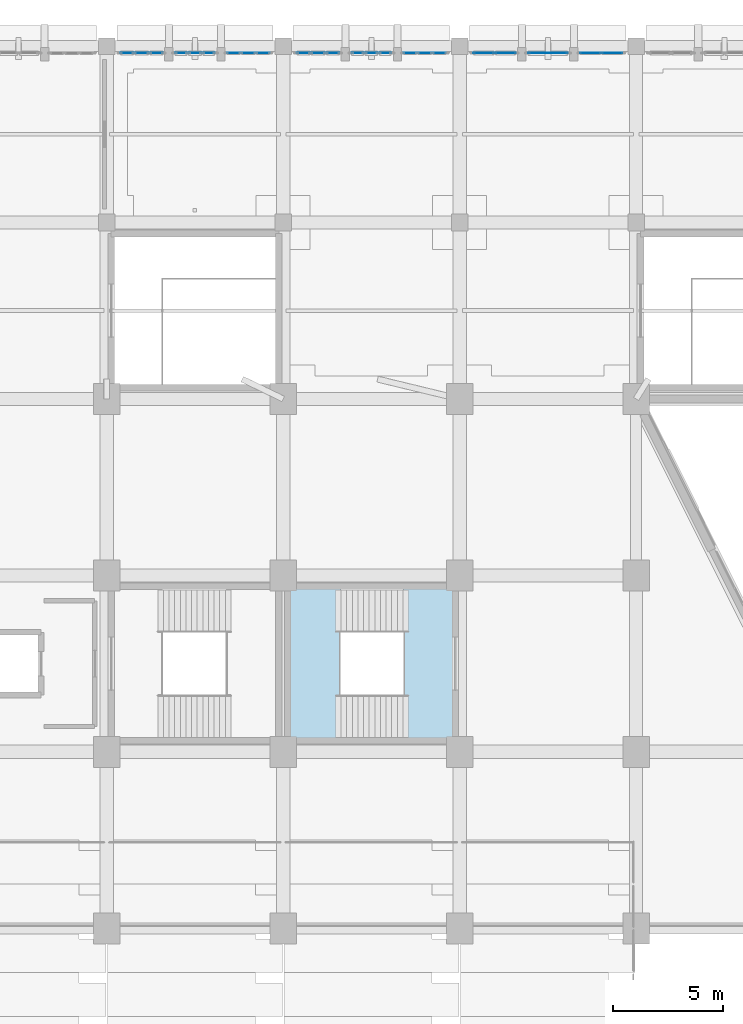
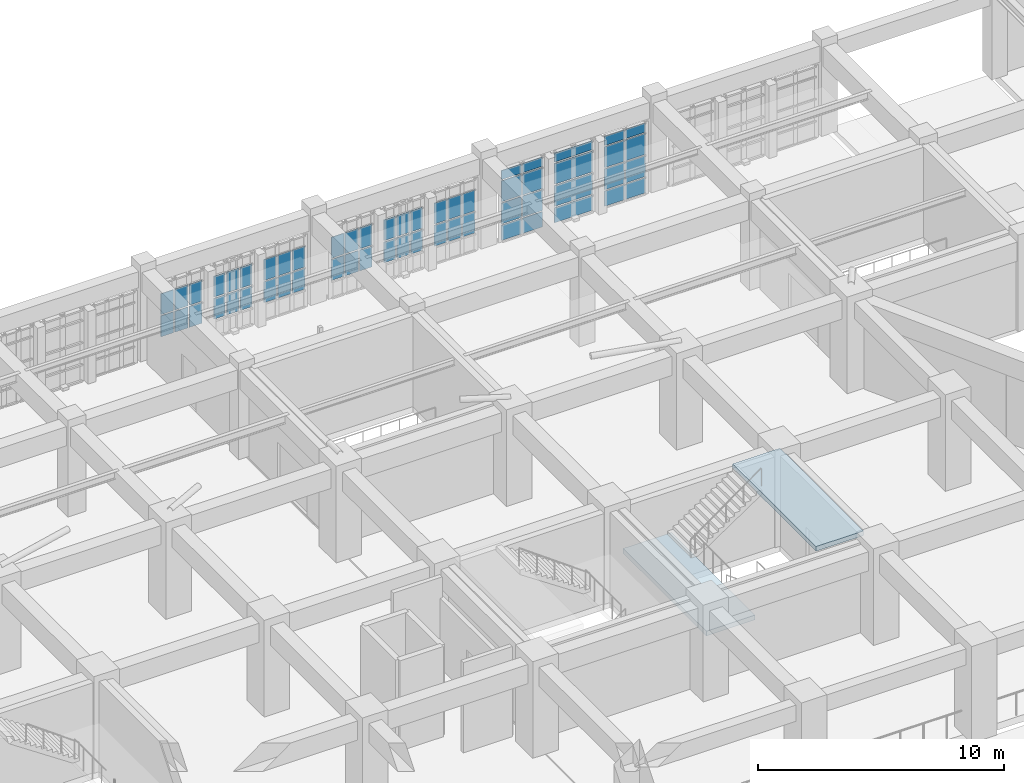
# One storey, part 107 of 155: 56 plates, 2 slabs, 10 elements without a shape of their own.
"""IFC4 building model written with IfcOpenShell, lengths in metres."""

from ifc_helpers import new_model, si_unit, direction, frame, origin, origin_2d, place, context, subcontext, project, spatial, polyline, rectangle, outline, extrude, material, layer, layer_set, type_object, element, aggregate, save


model = new_model("IFC4")

# Units and contexts
model_context = context("Model", 3, precision=1e-05, world=origin(), true_north=direction((0.0, 1.0)))
body_context = subcontext(model_context, "Body", "Model", "MODEL_VIEW")
ifc_project = project(units=[si_unit("LENGTHUNIT", "METRE"), si_unit("AREAUNIT", "SQUARE_METRE"), si_unit("VOLUMEUNIT", "CUBIC_METRE"), si_unit("PLANEANGLEUNIT", "RADIAN"), si_unit("MASSUNIT", "GRAM", prefix="KILO")], contexts=[model_context])

# Site, building, storey
site_placement = place(None, origin())
site = spatial("IfcSite", under=ifc_project, at=site_placement, CompositionType="ELEMENT")
building_placement = place(site_placement, origin())
building = spatial("IfcBuilding", under=site, at=building_placement, Name="Tazarka Park Arena", CompositionType="ELEMENT")
storey_placement = place(building_placement, frame((0.0, 0.0, 5.39990234375)))
storey = spatial("IfcBuildingStorey", under=building, at=storey_placement, Name="L01", CompositionType="ELEMENT", Elevation=5.39990234375)

# Curtain wall, plates
ifc_material_1 = material(Name="Aluminium and low-e glass", Category="aluminium")
ifc_layer_1 = layer(ifc_material_1, 0.179931640625, Name="Aluminium and low-e glass")
ifc_layer_set_1 = layer_set([ifc_layer_1], Name="Aluminium and low-e glass")
curtain_wall_type_1 = type_object("IfcCurtainWallType", Name="CW-30", PredefinedType="NOTDEFINED", material=ifc_layer_set_1)
curtain_wall_1_placement = place(storey_placement, origin())
curtain_wall_1 = element("IfcCurtainWall", 1, at=curtain_wall_1_placement, inside=storey, type_object=curtain_wall_type_1, Name="Curtain Wall CWA-L01-030", PredefinedType="NOTDEFINED")
ifc_material_2 = material(Name="Double low-e insulated glazing", Category="glass")
ifc_layer_2 = layer(ifc_material_2, 0.028076171875, Name="Double low-e insulated glazing")
ifc_layer_set_2 = layer_set([ifc_layer_2], Name="Double low-e insulated glazing")
plate_type_1 = type_object("IfcPlateType", Name="CWP-01", PredefinedType="CURTAIN_PANEL", material=ifc_layer_set_2)
plate_1_placement = place(storey_placement, frame((109.92138671875, 127.679931640625, 0.065185546875), z_axis=(0.0, 0.0, 1.0), x_axis=(1.0, 0.0, 0.0)))
plate_1 = element("IfcPlate", 2, at=plate_1_placement, type_object=plate_type_1, Name="CW-30 panel 1.1", PredefinedType="CURTAIN_PANEL", context=body_context, shape_type="SweptSolid", body=[
    extrude(rectangle(XDim=0.92919921875, YDim=0.028076171875, at=origin_2d()), origin(), (0.0, 0.0, 1.0), 0.75244140625),
])
plate_2_placement = place(storey_placement, frame((109.92138671875, 127.679931640625, 0.8828125), z_axis=(0.0, 0.0, 1.0), x_axis=(1.0, 0.0, 0.0)))
plate_2 = element("IfcPlate", 3, at=plate_2_placement, type_object=plate_type_1, Name="CW-30 panel 1.2", PredefinedType="CURTAIN_PANEL", context=body_context, shape_type="SweptSolid", body=[
    extrude(rectangle(XDim=0.92919921875, YDim=0.028076171875, at=origin_2d()), origin(), (0.0, 0.0, 1.0), 1.034912109375),
])
plate_3_placement = place(storey_placement, frame((109.92138671875, 127.679931640625, 1.982421875), z_axis=(0.0, 0.0, 1.0), x_axis=(1.0, 0.0, 0.0)))
plate_3 = element("IfcPlate", 4, at=plate_3_placement, type_object=plate_type_1, Name="CW-30 panel 1.3", PredefinedType="CURTAIN_PANEL", context=body_context, shape_type="SweptSolid", body=[
    extrude(rectangle(XDim=0.92919921875, YDim=0.028076171875, at=origin_2d()), origin(), (0.0, 0.0, 1.0), 1.034912109375),
])
plate_4_placement = place(storey_placement, frame((109.92138671875, 127.679931640625, 3.08251953125), z_axis=(0.0, 0.0, 1.0), x_axis=(1.0, 0.0, 0.0)))
plate_4 = element("IfcPlate", 5, at=plate_4_placement, type_object=plate_type_1, Name="CW-30 panel 1.4", PredefinedType="CURTAIN_PANEL", context=body_context, shape_type="SweptSolid", body=[
    extrude(rectangle(XDim=0.92919921875, YDim=0.028076171875, at=origin_2d()), origin(), (0.0, 0.0, 1.0), 0.452392578125),
])
plate_5_placement = place(storey_placement, frame((110.91552734375, 127.679931640625, 0.065185546875), z_axis=(0.0, 0.0, 1.0), x_axis=(1.0, 0.0, 0.0)))
plate_5 = element("IfcPlate", 6, at=plate_5_placement, type_object=plate_type_1, Name="CW-30 panel 2.1", PredefinedType="CURTAIN_PANEL", context=body_context, shape_type="SweptSolid", body=[
    extrude(rectangle(XDim=0.92919921875, YDim=0.028076171875, at=origin_2d()), origin(), (0.0, 0.0, 1.0), 0.75244140625),
])
plate_6_placement = place(storey_placement, frame((110.91552734375, 127.679931640625, 0.8828125), z_axis=(0.0, 0.0, 1.0), x_axis=(1.0, 0.0, 0.0)))
plate_6 = element("IfcPlate", 7, at=plate_6_placement, type_object=plate_type_1, Name="CW-30 panel 2.2", PredefinedType="CURTAIN_PANEL", context=body_context, shape_type="SweptSolid", body=[
    extrude(rectangle(XDim=0.92919921875, YDim=0.028076171875, at=origin_2d()), origin(), (0.0, 0.0, 1.0), 1.034912109375),
])
plate_7_placement = place(storey_placement, frame((110.91552734375, 127.679931640625, 1.982421875), z_axis=(0.0, 0.0, 1.0), x_axis=(1.0, 0.0, 0.0)))
plate_7 = element("IfcPlate", 8, at=plate_7_placement, type_object=plate_type_1, Name="CW-30 panel 2.3", PredefinedType="CURTAIN_PANEL", context=body_context, shape_type="SweptSolid", body=[
    extrude(rectangle(XDim=0.92919921875, YDim=0.028076171875, at=origin_2d()), origin(), (0.0, 0.0, 1.0), 1.034912109375),
])
plate_8_placement = place(storey_placement, frame((110.91552734375, 127.679931640625, 3.08251953125), z_axis=(0.0, 0.0, 1.0), x_axis=(1.0, 0.0, 0.0)))
plate_8 = element("IfcPlate", 9, at=plate_8_placement, type_object=plate_type_1, Name="CW-30 panel 2.4", PredefinedType="CURTAIN_PANEL", context=body_context, shape_type="SweptSolid", body=[
    extrude(rectangle(XDim=0.92919921875, YDim=0.028076171875, at=origin_2d()), origin(), (0.0, 0.0, 1.0), 0.452392578125),
])
aggregate(curtain_wall_1, [plate_1, plate_2, plate_3, plate_4, plate_5, plate_6, plate_7, plate_8])

ifc_material_3 = material(Name="Aluminium and low-e glass", Category="aluminium")
ifc_layer_3 = layer(ifc_material_3, 0.179931640625, Name="Aluminium and low-e glass")
ifc_layer_set_3 = layer_set([ifc_layer_3], Name="Aluminium and low-e glass")
curtain_wall_type_2 = type_object("IfcCurtainWallType", Name="CW-03", PredefinedType="NOTDEFINED", material=ifc_layer_set_3)
curtain_wall_2_placement = place(storey_placement, origin())
curtain_wall_2 = element("IfcCurtainWall", 10, at=curtain_wall_2_placement, inside=storey, type_object=curtain_wall_type_2, Name="Curtain Wall CWA-L01-033", PredefinedType="NOTDEFINED")
plate_9_placement = place(storey_placement, frame((101.750244140625, 127.679931640625, 0.8828125), z_axis=(0.0, 0.0, 1.0), x_axis=(1.0, 0.0, 0.0)))
plate_9 = element("IfcPlate", 11, at=plate_9_placement, type_object=plate_type_1, Name="CW-03 panel 1.2", PredefinedType="CURTAIN_PANEL", context=body_context, shape_type="SweptSolid", body=[
    extrude(rectangle(XDim=0.5869140625, YDim=0.028076171875, at=origin_2d()), origin(), (0.0, 0.0, 1.0), 1.034912109375),
])
plate_10_placement = place(storey_placement, frame((101.750244140625, 127.679931640625, 1.982421875), z_axis=(0.0, 0.0, 1.0), x_axis=(1.0, 0.0, 0.0)))
plate_10 = element("IfcPlate", 12, at=plate_10_placement, type_object=plate_type_1, Name="CW-03 panel 1.3", PredefinedType="CURTAIN_PANEL", context=body_context, shape_type="SweptSolid", body=[
    extrude(rectangle(XDim=0.5869140625, YDim=0.028076171875, at=origin_2d()), origin(), (0.0, 0.0, 1.0), 1.034912109375),
])
plate_11_placement = place(storey_placement, frame((102.41845703125, 127.679931640625, 0.8828125), z_axis=(0.0, 0.0, 1.0), x_axis=(1.0, 0.0, 0.0)))
plate_11 = element("IfcPlate", 13, at=plate_11_placement, type_object=plate_type_1, Name="CW-03 panel 2.2", PredefinedType="CURTAIN_PANEL", context=body_context, shape_type="SweptSolid", body=[
    extrude(rectangle(XDim=0.619384765625, YDim=0.028076171875, at=origin_2d()), origin(), (0.0, 0.0, 1.0), 1.034912109375),
])
plate_12_placement = place(storey_placement, frame((102.41845703125, 127.679931640625, 1.982421875), z_axis=(0.0, 0.0, 1.0), x_axis=(1.0, 0.0, 0.0)))
plate_12 = element("IfcPlate", 14, at=plate_12_placement, type_object=plate_type_1, Name="CW-03 panel 2.3", PredefinedType="CURTAIN_PANEL", context=body_context, shape_type="SweptSolid", body=[
    extrude(rectangle(XDim=0.619384765625, YDim=0.028076171875, at=origin_2d()), origin(), (0.0, 0.0, 1.0), 1.034912109375),
])
plate_13_placement = place(storey_placement, frame((103.08642578125, 127.679931640625, 0.8828125), z_axis=(0.0, 0.0, 1.0), x_axis=(1.0, 0.0, 0.0)))
plate_13 = element("IfcPlate", 15, at=plate_13_placement, type_object=plate_type_1, Name="CW-03 panel 3.2", PredefinedType="CURTAIN_PANEL", context=body_context, shape_type="SweptSolid", body=[
    extrude(rectangle(XDim=0.5869140625, YDim=0.028076171875, at=origin_2d()), origin(), (0.0, 0.0, 1.0), 1.034912109375),
])
plate_14_placement = place(storey_placement, frame((103.08642578125, 127.679931640625, 1.982421875), z_axis=(0.0, 0.0, 1.0), x_axis=(1.0, 0.0, 0.0)))
plate_14 = element("IfcPlate", 16, at=plate_14_placement, type_object=plate_type_1, Name="CW-03 panel 3.3", PredefinedType="CURTAIN_PANEL", context=body_context, shape_type="SweptSolid", body=[
    extrude(rectangle(XDim=0.5869140625, YDim=0.028076171875, at=origin_2d()), origin(), (0.0, 0.0, 1.0), 1.034912109375),
])
aggregate(curtain_wall_2, [plate_9, plate_10, plate_11, plate_12, plate_13, plate_14])

ifc_material_4 = material(Name="Aluminium and low-e glass", Category="aluminium")
ifc_layer_4 = layer(ifc_material_4, 0.179931640625, Name="Aluminium and low-e glass")
ifc_layer_set_4 = layer_set([ifc_layer_4], Name="Aluminium and low-e glass")
curtain_wall_type_3 = type_object("IfcCurtainWallType", Name="CW-06", PredefinedType="NOTDEFINED", material=ifc_layer_set_4)
curtain_wall_3_placement = place(storey_placement, origin())
curtain_wall_3 = element("IfcCurtainWall", 17, at=curtain_wall_3_placement, inside=storey, type_object=curtain_wall_type_3, Name="Curtain Wall CWA-L01-036", PredefinedType="NOTDEFINED")
plate_15_placement = place(storey_placement, frame((93.750244140625, 127.679931640625, 0.8828125), z_axis=(0.0, 0.0, 1.0), x_axis=(1.0, 0.0, 0.0)))
plate_15 = element("IfcPlate", 18, at=plate_15_placement, type_object=plate_type_1, Name="CW-06 panel 1.2", PredefinedType="CURTAIN_PANEL", context=body_context, shape_type="SweptSolid", body=[
    extrude(rectangle(XDim=0.5869140625, YDim=0.028076171875, at=origin_2d()), origin(), (0.0, 0.0, 1.0), 1.034912109375),
])
plate_16_placement = place(storey_placement, frame((93.750244140625, 127.679931640625, 1.982421875), z_axis=(0.0, 0.0, 1.0), x_axis=(1.0, 0.0, 0.0)))
plate_16 = element("IfcPlate", 19, at=plate_16_placement, type_object=plate_type_1, Name="CW-06 panel 1.3", PredefinedType="CURTAIN_PANEL", context=body_context, shape_type="SweptSolid", body=[
    extrude(rectangle(XDim=0.5869140625, YDim=0.028076171875, at=origin_2d()), origin(), (0.0, 0.0, 1.0), 1.034912109375),
])
plate_17_placement = place(storey_placement, frame((94.41845703125, 127.679931640625, 0.8828125), z_axis=(0.0, 0.0, 1.0), x_axis=(1.0, 0.0, 0.0)))
plate_17 = element("IfcPlate", 20, at=plate_17_placement, type_object=plate_type_1, Name="CW-06 panel 2.2", PredefinedType="CURTAIN_PANEL", context=body_context, shape_type="SweptSolid", body=[
    extrude(rectangle(XDim=0.619384765625, YDim=0.028076171875, at=origin_2d()), origin(), (0.0, 0.0, 1.0), 1.034912109375),
])
plate_18_placement = place(storey_placement, frame((94.41845703125, 127.679931640625, 1.982421875), z_axis=(0.0, 0.0, 1.0), x_axis=(1.0, 0.0, 0.0)))
plate_18 = element("IfcPlate", 21, at=plate_18_placement, type_object=plate_type_1, Name="CW-06 panel 2.3", PredefinedType="CURTAIN_PANEL", context=body_context, shape_type="SweptSolid", body=[
    extrude(rectangle(XDim=0.619384765625, YDim=0.028076171875, at=origin_2d()), origin(), (0.0, 0.0, 1.0), 1.034912109375),
])
plate_19_placement = place(storey_placement, frame((95.08642578125, 127.679931640625, 0.8828125), z_axis=(0.0, 0.0, 1.0), x_axis=(1.0, 0.0, 0.0)))
plate_19 = element("IfcPlate", 22, at=plate_19_placement, type_object=plate_type_1, Name="CW-06 panel 3.2", PredefinedType="CURTAIN_PANEL", context=body_context, shape_type="SweptSolid", body=[
    extrude(rectangle(XDim=0.5869140625, YDim=0.028076171875, at=origin_2d()), origin(), (0.0, 0.0, 1.0), 1.034912109375),
])
plate_20_placement = place(storey_placement, frame((95.08642578125, 127.679931640625, 1.982421875), z_axis=(0.0, 0.0, 1.0), x_axis=(1.0, 0.0, 0.0)))
plate_20 = element("IfcPlate", 23, at=plate_20_placement, type_object=plate_type_1, Name="CW-06 panel 3.3", PredefinedType="CURTAIN_PANEL", context=body_context, shape_type="SweptSolid", body=[
    extrude(rectangle(XDim=0.5869140625, YDim=0.028076171875, at=origin_2d()), origin(), (0.0, 0.0, 1.0), 1.034912109375),
])
aggregate(curtain_wall_3, [plate_15, plate_16, plate_17, plate_18, plate_19, plate_20])

ifc_material_5 = material(Name="Aluminium and low-e glass", Category="aluminium")
ifc_layer_5 = layer(ifc_material_5, 0.179931640625, Name="Aluminium and low-e glass")
ifc_layer_set_5 = layer_set([ifc_layer_5], Name="Aluminium and low-e glass")
curtain_wall_type_4 = type_object("IfcCurtainWallType", Name="CW-28", PredefinedType="NOTDEFINED", material=ifc_layer_set_5)
curtain_wall_4_placement = place(storey_placement, origin())
curtain_wall_4 = element("IfcCurtainWall", 24, at=curtain_wall_4_placement, inside=storey, type_object=curtain_wall_type_4, Name="Curtain Wall CWA-L01-028", PredefinedType="NOTDEFINED")
ifc_material_6 = material(Name="Triple acoustic solar glazing", Category="glass")
ifc_layer_6 = layer(ifc_material_6, 0.031982421875, Name="Triple acoustic solar glazing")
ifc_layer_set_6 = layer_set([ifc_layer_6], Name="Triple acoustic solar glazing")
plate_type_2 = type_object("IfcPlateType", Name="CWP-02", PredefinedType="CURTAIN_PANEL", material=ifc_layer_set_6)
plate_21_placement = place(storey_placement, frame((105.08447265625, 127.679931640625, 0.065185546875), z_axis=(0.0, 0.0, 1.0), x_axis=(1.0, 0.0, 0.0)))
plate_21 = element("IfcPlate", 25, at=plate_21_placement, type_object=plate_type_2, Name="CW-28 panel 1.1", PredefinedType="CURTAIN_PANEL", context=body_context, shape_type="SweptSolid", body=[
    extrude(rectangle(XDim=0.92919921875, YDim=0.031982421875, at=origin_2d()), origin(), (0.0, 0.0, 1.0), 0.75244140625),
])
plate_22_placement = place(storey_placement, frame((105.08447265625, 127.679931640625, 0.8828125), z_axis=(0.0, 0.0, 1.0), x_axis=(1.0, 0.0, 0.0)))
plate_22 = element("IfcPlate", 26, at=plate_22_placement, type_object=plate_type_2, Name="CW-28 panel 1.2", PredefinedType="CURTAIN_PANEL", context=body_context, shape_type="SweptSolid", body=[
    extrude(rectangle(XDim=0.92919921875, YDim=0.031982421875, at=origin_2d()), origin(), (0.0, 0.0, 1.0), 1.034912109375),
])
plate_23_placement = place(storey_placement, frame((105.08447265625, 127.679931640625, 1.982421875), z_axis=(0.0, 0.0, 1.0), x_axis=(1.0, 0.0, 0.0)))
plate_23 = element("IfcPlate", 27, at=plate_23_placement, type_object=plate_type_2, Name="CW-28 panel 1.3", PredefinedType="CURTAIN_PANEL", context=body_context, shape_type="SweptSolid", body=[
    extrude(rectangle(XDim=0.92919921875, YDim=0.031982421875, at=origin_2d()), origin(), (0.0, 0.0, 1.0), 1.034912109375),
])
plate_24_placement = place(storey_placement, frame((105.08447265625, 127.679931640625, 3.08251953125), z_axis=(0.0, 0.0, 1.0), x_axis=(1.0, 0.0, 0.0)))
plate_24 = element("IfcPlate", 28, at=plate_24_placement, type_object=plate_type_2, Name="CW-28 panel 1.4", PredefinedType="CURTAIN_PANEL", context=body_context, shape_type="SweptSolid", body=[
    extrude(rectangle(XDim=0.92919921875, YDim=0.031982421875, at=origin_2d()), origin(), (0.0, 0.0, 1.0), 0.452392578125),
])
plate_25_placement = place(storey_placement, frame((106.07861328125, 127.679931640625, 0.065185546875), z_axis=(0.0, 0.0, 1.0), x_axis=(1.0, 0.0, 0.0)))
plate_25 = element("IfcPlate", 29, at=plate_25_placement, type_object=plate_type_2, Name="CW-28 panel 2.1", PredefinedType="CURTAIN_PANEL", context=body_context, shape_type="SweptSolid", body=[
    extrude(rectangle(XDim=0.92919921875, YDim=0.031982421875, at=origin_2d()), origin(), (0.0, 0.0, 1.0), 0.75244140625),
])
plate_26_placement = place(storey_placement, frame((106.07861328125, 127.679931640625, 0.8828125), z_axis=(0.0, 0.0, 1.0), x_axis=(1.0, 0.0, 0.0)))
plate_26 = element("IfcPlate", 30, at=plate_26_placement, type_object=plate_type_2, Name="CW-28 panel 2.2", PredefinedType="CURTAIN_PANEL", context=body_context, shape_type="SweptSolid", body=[
    extrude(rectangle(XDim=0.92919921875, YDim=0.031982421875, at=origin_2d()), origin(), (0.0, 0.0, 1.0), 1.034912109375),
])
plate_27_placement = place(storey_placement, frame((106.07861328125, 127.679931640625, 1.982421875), z_axis=(0.0, 0.0, 1.0), x_axis=(1.0, 0.0, 0.0)))
plate_27 = element("IfcPlate", 31, at=plate_27_placement, type_object=plate_type_2, Name="CW-28 panel 2.3", PredefinedType="CURTAIN_PANEL", context=body_context, shape_type="SweptSolid", body=[
    extrude(rectangle(XDim=0.92919921875, YDim=0.031982421875, at=origin_2d()), origin(), (0.0, 0.0, 1.0), 1.034912109375),
])
plate_28_placement = place(storey_placement, frame((106.07861328125, 127.679931640625, 3.08251953125), z_axis=(0.0, 0.0, 1.0), x_axis=(1.0, 0.0, 0.0)))
plate_28 = element("IfcPlate", 32, at=plate_28_placement, type_object=plate_type_2, Name="CW-28 panel 2.4", PredefinedType="CURTAIN_PANEL", context=body_context, shape_type="SweptSolid", body=[
    extrude(rectangle(XDim=0.92919921875, YDim=0.031982421875, at=origin_2d()), origin(), (0.0, 0.0, 1.0), 0.452392578125),
])
aggregate(curtain_wall_4, [plate_21, plate_22, plate_23, plate_24, plate_25, plate_26, plate_27, plate_28])

ifc_material_7 = material(Name="Aluminium and low-e glass", Category="aluminium")
ifc_layer_7 = layer(ifc_material_7, 0.179931640625, Name="Aluminium and low-e glass")
ifc_layer_set_7 = layer_set([ifc_layer_7], Name="Aluminium and low-e glass")
curtain_wall_type_5 = type_object("IfcCurtainWallType", Name="CW-01", PredefinedType="NOTDEFINED", material=ifc_layer_set_7)
curtain_wall_5_placement = place(storey_placement, origin())
curtain_wall_5 = element("IfcCurtainWall", 33, at=curtain_wall_5_placement, inside=storey, type_object=curtain_wall_type_5, Name="Curtain Wall CWA-L01-031", PredefinedType="NOTDEFINED")
plate_29_placement = place(storey_placement, frame((96.91357421875, 127.679931640625, 0.8828125), z_axis=(0.0, 0.0, 1.0), x_axis=(1.0, 0.0, 0.0)))
plate_29 = element("IfcPlate", 34, at=plate_29_placement, type_object=plate_type_2, Name="CW-01 panel 1.2", PredefinedType="CURTAIN_PANEL", context=body_context, shape_type="SweptSolid", body=[
    extrude(rectangle(XDim=0.5869140625, YDim=0.031982421875, at=origin_2d()), origin(), (0.0, 0.0, 1.0), 1.034912109375),
])
plate_30_placement = place(storey_placement, frame((96.91357421875, 127.679931640625, 1.982421875), z_axis=(0.0, 0.0, 1.0), x_axis=(1.0, 0.0, 0.0)))
plate_30 = element("IfcPlate", 35, at=plate_30_placement, type_object=plate_type_2, Name="CW-01 panel 1.3", PredefinedType="CURTAIN_PANEL", context=body_context, shape_type="SweptSolid", body=[
    extrude(rectangle(XDim=0.5869140625, YDim=0.031982421875, at=origin_2d()), origin(), (0.0, 0.0, 1.0), 1.034912109375),
])
plate_31_placement = place(storey_placement, frame((97.58154296875, 127.679931640625, 0.8828125), z_axis=(0.0, 0.0, 1.0), x_axis=(1.0, 0.0, 0.0)))
plate_31 = element("IfcPlate", 36, at=plate_31_placement, type_object=plate_type_2, Name="CW-01 panel 2.2", PredefinedType="CURTAIN_PANEL", context=body_context, shape_type="SweptSolid", body=[
    extrude(rectangle(XDim=0.619384765625, YDim=0.031982421875, at=origin_2d()), origin(), (0.0, 0.0, 1.0), 1.034912109375),
])
plate_32_placement = place(storey_placement, frame((97.58154296875, 127.679931640625, 1.982421875), z_axis=(0.0, 0.0, 1.0), x_axis=(1.0, 0.0, 0.0)))
plate_32 = element("IfcPlate", 37, at=plate_32_placement, type_object=plate_type_2, Name="CW-01 panel 2.3", PredefinedType="CURTAIN_PANEL", context=body_context, shape_type="SweptSolid", body=[
    extrude(rectangle(XDim=0.619384765625, YDim=0.031982421875, at=origin_2d()), origin(), (0.0, 0.0, 1.0), 1.034912109375),
])
plate_33_placement = place(storey_placement, frame((98.249755859375, 127.679931640625, 0.8828125), z_axis=(0.0, 0.0, 1.0), x_axis=(1.0, 0.0, 0.0)))
plate_33 = element("IfcPlate", 38, at=plate_33_placement, type_object=plate_type_2, Name="CW-01 panel 3.2", PredefinedType="CURTAIN_PANEL", context=body_context, shape_type="SweptSolid", body=[
    extrude(rectangle(XDim=0.5869140625, YDim=0.031982421875, at=origin_2d()), origin(), (0.0, 0.0, 1.0), 1.034912109375),
])
plate_34_placement = place(storey_placement, frame((98.249755859375, 127.679931640625, 1.982421875), z_axis=(0.0, 0.0, 1.0), x_axis=(1.0, 0.0, 0.0)))
plate_34 = element("IfcPlate", 39, at=plate_34_placement, type_object=plate_type_2, Name="CW-01 panel 3.3", PredefinedType="CURTAIN_PANEL", context=body_context, shape_type="SweptSolid", body=[
    extrude(rectangle(XDim=0.5869140625, YDim=0.031982421875, at=origin_2d()), origin(), (0.0, 0.0, 1.0), 1.034912109375),
])
aggregate(curtain_wall_5, [plate_29, plate_30, plate_31, plate_32, plate_33, plate_34])

ifc_material_8 = material(Name="Aluminium and low-e glass", Category="aluminium")
ifc_layer_8 = layer(ifc_material_8, 0.179931640625, Name="Aluminium and low-e glass")
ifc_layer_set_8 = layer_set([ifc_layer_8], Name="Aluminium and low-e glass")
curtain_wall_type_6 = type_object("IfcCurtainWallType", Name="CW-04", PredefinedType="NOTDEFINED", material=ifc_layer_set_8)
curtain_wall_6_placement = place(storey_placement, origin())
curtain_wall_6 = element("IfcCurtainWall", 40, at=curtain_wall_6_placement, inside=storey, type_object=curtain_wall_type_6, Name="Curtain Wall CWA-L01-034", PredefinedType="NOTDEFINED")
plate_35_placement = place(storey_placement, frame((88.91357421875, 127.679931640625, 0.8828125), z_axis=(0.0, 0.0, 1.0), x_axis=(1.0, 0.0, 0.0)))
plate_35 = element("IfcPlate", 41, at=plate_35_placement, type_object=plate_type_2, Name="CW-04 panel 1.2", PredefinedType="CURTAIN_PANEL", context=body_context, shape_type="SweptSolid", body=[
    extrude(rectangle(XDim=0.5869140625, YDim=0.031982421875, at=origin_2d()), origin(), (0.0, 0.0, 1.0), 1.034912109375),
])
plate_36_placement = place(storey_placement, frame((88.91357421875, 127.679931640625, 1.982421875), z_axis=(0.0, 0.0, 1.0), x_axis=(1.0, 0.0, 0.0)))
plate_36 = element("IfcPlate", 42, at=plate_36_placement, type_object=plate_type_2, Name="CW-04 panel 1.3", PredefinedType="CURTAIN_PANEL", context=body_context, shape_type="SweptSolid", body=[
    extrude(rectangle(XDim=0.5869140625, YDim=0.031982421875, at=origin_2d()), origin(), (0.0, 0.0, 1.0), 1.034912109375),
])
plate_37_placement = place(storey_placement, frame((89.58154296875, 127.679931640625, 0.8828125), z_axis=(0.0, 0.0, 1.0), x_axis=(1.0, 0.0, 0.0)))
plate_37 = element("IfcPlate", 43, at=plate_37_placement, type_object=plate_type_2, Name="CW-04 panel 2.2", PredefinedType="CURTAIN_PANEL", context=body_context, shape_type="SweptSolid", body=[
    extrude(rectangle(XDim=0.619384765625, YDim=0.031982421875, at=origin_2d()), origin(), (0.0, 0.0, 1.0), 1.034912109375),
])
plate_38_placement = place(storey_placement, frame((89.58154296875, 127.679931640625, 1.982421875), z_axis=(0.0, 0.0, 1.0), x_axis=(1.0, 0.0, 0.0)))
plate_38 = element("IfcPlate", 44, at=plate_38_placement, type_object=plate_type_2, Name="CW-04 panel 2.3", PredefinedType="CURTAIN_PANEL", context=body_context, shape_type="SweptSolid", body=[
    extrude(rectangle(XDim=0.619384765625, YDim=0.031982421875, at=origin_2d()), origin(), (0.0, 0.0, 1.0), 1.034912109375),
])
plate_39_placement = place(storey_placement, frame((90.249755859375, 127.679931640625, 0.8828125), z_axis=(0.0, 0.0, 1.0), x_axis=(1.0, 0.0, 0.0)))
plate_39 = element("IfcPlate", 45, at=plate_39_placement, type_object=plate_type_2, Name="CW-04 panel 3.2", PredefinedType="CURTAIN_PANEL", context=body_context, shape_type="SweptSolid", body=[
    extrude(rectangle(XDim=0.5869140625, YDim=0.031982421875, at=origin_2d()), origin(), (0.0, 0.0, 1.0), 1.034912109375),
])
plate_40_placement = place(storey_placement, frame((90.249755859375, 127.679931640625, 1.982421875), z_axis=(0.0, 0.0, 1.0), x_axis=(1.0, 0.0, 0.0)))
plate_40 = element("IfcPlate", 46, at=plate_40_placement, type_object=plate_type_2, Name="CW-04 panel 3.3", PredefinedType="CURTAIN_PANEL", context=body_context, shape_type="SweptSolid", body=[
    extrude(rectangle(XDim=0.5869140625, YDim=0.031982421875, at=origin_2d()), origin(), (0.0, 0.0, 1.0), 1.034912109375),
])
aggregate(curtain_wall_6, [plate_35, plate_36, plate_37, plate_38, plate_39, plate_40])

ifc_material_9 = material(Name="Aluminium and low-e glass", Category="aluminium")
ifc_layer_9 = layer(ifc_material_9, 0.179931640625, Name="Aluminium and low-e glass")
ifc_layer_set_9 = layer_set([ifc_layer_9], Name="Aluminium and low-e glass")
curtain_wall_type_7 = type_object("IfcCurtainWallType", Name="CW-29", PredefinedType="NOTDEFINED", material=ifc_layer_set_9)
curtain_wall_7_placement = place(storey_placement, origin())
curtain_wall_7 = element("IfcCurtainWall", 47, at=curtain_wall_7_placement, inside=storey, type_object=curtain_wall_type_7, Name="Curtain Wall CWA-L01-029", PredefinedType="NOTDEFINED")
ifc_material_10 = material(Name="Insulated aluminium spandrel panel", Category="aluminium")
ifc_layer_10 = layer(ifc_material_10, 0.035888671875, Name="Insulated aluminium spandrel panel")
ifc_layer_set_10 = layer_set([ifc_layer_10], Name="Insulated aluminium spandrel panel")
plate_type_3 = type_object("IfcPlateType", Name="CWP-03", PredefinedType="CURTAIN_PANEL", material=ifc_layer_set_10)
plate_41_placement = place(storey_placement, frame((108.0, 127.679931640625, 0.0751953125), z_axis=(0.0, 0.0, 1.0), x_axis=(1.0, 0.0, 0.0)))
plate_41 = element("IfcPlate", 48, at=plate_41_placement, type_object=plate_type_3, Name="CW-29 panel 1.1", PredefinedType="CURTAIN_PANEL", context=body_context, shape_type="SweptSolid", body=[
    extrude(rectangle(XDim=1.79345703125, YDim=0.035888671875, at=origin_2d()), origin(), (0.0, 0.0, 1.0), 0.737548828125),
])
plate_42_placement = place(storey_placement, frame((108.0, 127.679931640625, 0.8876953125), z_axis=(0.0, 0.0, 1.0), x_axis=(1.0, 0.0, 0.0)))
plate_42 = element("IfcPlate", 49, at=plate_42_placement, type_object=plate_type_3, Name="CW-29 panel 1.2", PredefinedType="CURTAIN_PANEL", context=body_context, shape_type="SweptSolid", body=[
    extrude(rectangle(XDim=1.79345703125, YDim=0.035888671875, at=origin_2d()), origin(), (0.0, 0.0, 1.0), 1.02490234375),
])
plate_43_placement = place(storey_placement, frame((108.0, 127.679931640625, 1.987548828125), z_axis=(0.0, 0.0, 1.0), x_axis=(1.0, 0.0, 0.0)))
plate_43 = element("IfcPlate", 50, at=plate_43_placement, type_object=plate_type_3, Name="CW-29 panel 1.3", PredefinedType="CURTAIN_PANEL", context=body_context, shape_type="SweptSolid", body=[
    extrude(rectangle(XDim=1.79345703125, YDim=0.035888671875, at=origin_2d()), origin(), (0.0, 0.0, 1.0), 1.02490234375),
])
plate_44_placement = place(storey_placement, frame((108.0, 127.679931640625, 3.087646484375), z_axis=(0.0, 0.0, 1.0), x_axis=(1.0, 0.0, 0.0)))
plate_44 = element("IfcPlate", 51, at=plate_44_placement, type_object=plate_type_3, Name="CW-29 panel 1.4", PredefinedType="CURTAIN_PANEL", context=body_context, shape_type="SweptSolid", body=[
    extrude(rectangle(XDim=1.79345703125, YDim=0.035888671875, at=origin_2d()), origin(), (0.0, 0.0, 1.0), 0.4375),
])
aggregate(curtain_wall_7, [plate_41, plate_42, plate_43, plate_44])

ifc_material_11 = material(Name="Aluminium and low-e glass", Category="aluminium")
ifc_layer_11 = layer(ifc_material_11, 0.179931640625, Name="Aluminium and low-e glass")
ifc_layer_set_11 = layer_set([ifc_layer_11], Name="Aluminium and low-e glass")
curtain_wall_type_8 = type_object("IfcCurtainWallType", Name="CW-02", PredefinedType="NOTDEFINED", material=ifc_layer_set_11)
curtain_wall_8_placement = place(storey_placement, origin())
curtain_wall_8 = element("IfcCurtainWall", 52, at=curtain_wall_8_placement, inside=storey, type_object=curtain_wall_type_8, Name="Curtain Wall CWA-L01-032", PredefinedType="NOTDEFINED")
plate_45_placement = place(storey_placement, frame((99.370849609375, 127.679931640625, 0.8876953125), z_axis=(0.0, 0.0, 1.0), x_axis=(1.0, 0.0, 0.0)))
plate_45 = element("IfcPlate", 53, at=plate_45_placement, type_object=plate_type_3, Name="CW-02 panel 1.2", PredefinedType="CURTAIN_PANEL", context=body_context, shape_type="SweptSolid", body=[
    extrude(rectangle(XDim=0.535400390625, YDim=0.035888671875, at=origin_2d()), origin(), (0.0, 0.0, 1.0), 1.02490234375),
])
plate_46_placement = place(storey_placement, frame((99.370849609375, 127.679931640625, 1.987548828125), z_axis=(0.0, 0.0, 1.0), x_axis=(1.0, 0.0, 0.0)))
plate_46 = element("IfcPlate", 54, at=plate_46_placement, type_object=plate_type_3, Name="CW-02 panel 1.3", PredefinedType="CURTAIN_PANEL", context=body_context, shape_type="SweptSolid", body=[
    extrude(rectangle(XDim=0.535400390625, YDim=0.035888671875, at=origin_2d()), origin(), (0.0, 0.0, 1.0), 1.02490234375),
])
plate_47_placement = place(storey_placement, frame((100.0, 127.679931640625, 0.8876953125), z_axis=(0.0, 0.0, 1.0), x_axis=(1.0, 0.0, 0.0)))
plate_47 = element("IfcPlate", 55, at=plate_47_placement, type_object=plate_type_3, Name="CW-02 panel 2.2", PredefinedType="CURTAIN_PANEL", context=body_context, shape_type="SweptSolid", body=[
    extrude(rectangle(XDim=0.57275390625, YDim=0.035888671875, at=origin_2d()), origin(), (0.0, 0.0, 1.0), 1.02490234375),
])
plate_48_placement = place(storey_placement, frame((100.0, 127.679931640625, 1.987548828125), z_axis=(0.0, 0.0, 1.0), x_axis=(1.0, 0.0, 0.0)))
plate_48 = element("IfcPlate", 56, at=plate_48_placement, type_object=plate_type_3, Name="CW-02 panel 2.3", PredefinedType="CURTAIN_PANEL", context=body_context, shape_type="SweptSolid", body=[
    extrude(rectangle(XDim=0.57275390625, YDim=0.035888671875, at=origin_2d()), origin(), (0.0, 0.0, 1.0), 1.02490234375),
])
plate_49_placement = place(storey_placement, frame((100.629150390625, 127.679931640625, 0.8876953125), z_axis=(0.0, 0.0, 1.0), x_axis=(1.0, 0.0, 0.0)))
plate_49 = element("IfcPlate", 57, at=plate_49_placement, type_object=plate_type_3, Name="CW-02 panel 3.2", PredefinedType="CURTAIN_PANEL", context=body_context, shape_type="SweptSolid", body=[
    extrude(rectangle(XDim=0.535400390625, YDim=0.035888671875, at=origin_2d()), origin(), (0.0, 0.0, 1.0), 1.02490234375),
])
plate_50_placement = place(storey_placement, frame((100.629150390625, 127.679931640625, 1.987548828125), z_axis=(0.0, 0.0, 1.0), x_axis=(1.0, 0.0, 0.0)))
plate_50 = element("IfcPlate", 58, at=plate_50_placement, type_object=plate_type_3, Name="CW-02 panel 3.3", PredefinedType="CURTAIN_PANEL", context=body_context, shape_type="SweptSolid", body=[
    extrude(rectangle(XDim=0.535400390625, YDim=0.035888671875, at=origin_2d()), origin(), (0.0, 0.0, 1.0), 1.02490234375),
])
aggregate(curtain_wall_8, [plate_45, plate_46, plate_47, plate_48, plate_49, plate_50])

ifc_material_12 = material(Name="Aluminium and low-e glass", Category="aluminium")
ifc_layer_12 = layer(ifc_material_12, 0.179931640625, Name="Aluminium and low-e glass")
ifc_layer_set_12 = layer_set([ifc_layer_12], Name="Aluminium and low-e glass")
curtain_wall_type_9 = type_object("IfcCurtainWallType", Name="CW-05", PredefinedType="NOTDEFINED", material=ifc_layer_set_12)
curtain_wall_9_placement = place(storey_placement, origin())
curtain_wall_9 = element("IfcCurtainWall", 59, at=curtain_wall_9_placement, inside=storey, type_object=curtain_wall_type_9, Name="Curtain Wall CWA-L01-035", PredefinedType="NOTDEFINED")
plate_51_placement = place(storey_placement, frame((91.370849609375, 127.679931640625, 0.8876953125), z_axis=(0.0, 0.0, 1.0), x_axis=(1.0, 0.0, 0.0)))
plate_51 = element("IfcPlate", 60, at=plate_51_placement, type_object=plate_type_3, Name="CW-05 panel 1.2", PredefinedType="CURTAIN_PANEL", context=body_context, shape_type="SweptSolid", body=[
    extrude(rectangle(XDim=0.535400390625, YDim=0.035888671875, at=origin_2d()), origin(), (0.0, 0.0, 1.0), 1.02490234375),
])
plate_52_placement = place(storey_placement, frame((91.370849609375, 127.679931640625, 1.987548828125), z_axis=(0.0, 0.0, 1.0), x_axis=(1.0, 0.0, 0.0)))
plate_52 = element("IfcPlate", 61, at=plate_52_placement, type_object=plate_type_3, Name="CW-05 panel 1.3", PredefinedType="CURTAIN_PANEL", context=body_context, shape_type="SweptSolid", body=[
    extrude(rectangle(XDim=0.535400390625, YDim=0.035888671875, at=origin_2d()), origin(), (0.0, 0.0, 1.0), 1.02490234375),
])
plate_53_placement = place(storey_placement, frame((92.0, 127.679931640625, 0.8876953125), z_axis=(0.0, 0.0, 1.0), x_axis=(1.0, 0.0, 0.0)))
plate_53 = element("IfcPlate", 62, at=plate_53_placement, type_object=plate_type_3, Name="CW-05 panel 2.2", PredefinedType="CURTAIN_PANEL", context=body_context, shape_type="SweptSolid", body=[
    extrude(rectangle(XDim=0.57275390625, YDim=0.035888671875, at=origin_2d()), origin(), (0.0, 0.0, 1.0), 1.02490234375),
])
plate_54_placement = place(storey_placement, frame((92.0, 127.679931640625, 1.987548828125), z_axis=(0.0, 0.0, 1.0), x_axis=(1.0, 0.0, 0.0)))
plate_54 = element("IfcPlate", 63, at=plate_54_placement, type_object=plate_type_3, Name="CW-05 panel 2.3", PredefinedType="CURTAIN_PANEL", context=body_context, shape_type="SweptSolid", body=[
    extrude(rectangle(XDim=0.57275390625, YDim=0.035888671875, at=origin_2d()), origin(), (0.0, 0.0, 1.0), 1.02490234375),
])
plate_55_placement = place(storey_placement, frame((92.629150390625, 127.679931640625, 0.8876953125), z_axis=(0.0, 0.0, 1.0), x_axis=(1.0, 0.0, 0.0)))
plate_55 = element("IfcPlate", 64, at=plate_55_placement, type_object=plate_type_3, Name="CW-05 panel 3.2", PredefinedType="CURTAIN_PANEL", context=body_context, shape_type="SweptSolid", body=[
    extrude(rectangle(XDim=0.535400390625, YDim=0.035888671875, at=origin_2d()), origin(), (0.0, 0.0, 1.0), 1.02490234375),
])
plate_56_placement = place(storey_placement, frame((92.629150390625, 127.679931640625, 1.987548828125), z_axis=(0.0, 0.0, 1.0), x_axis=(1.0, 0.0, 0.0)))
plate_56 = element("IfcPlate", 65, at=plate_56_placement, type_object=plate_type_3, Name="CW-05 panel 3.3", PredefinedType="CURTAIN_PANEL", context=body_context, shape_type="SweptSolid", body=[
    extrude(rectangle(XDim=0.535400390625, YDim=0.035888671875, at=origin_2d()), origin(), (0.0, 0.0, 1.0), 1.02490234375),
])
aggregate(curtain_wall_9, [plate_51, plate_52, plate_53, plate_54, plate_55, plate_56])

# Stair, slabs
ifc_material_13 = material(Name="Precast concrete C40/50", Category="concrete")
stair_type = type_object("IfcStairType", Name="STR-2400", PredefinedType="HALF_TURN_STAIR", material=ifc_material_13)
stair_placement = place(storey_placement, origin())
stair = element("IfcStair", 66, at=stair_placement, inside=storey, type_object=stair_type, Name="Stair ST10 L01", PredefinedType="HALF_TURN_STAIR")
ifc_material_14 = material(Name="Precast concrete C40/50", Category="concrete")
ifc_layer_13 = layer(ifc_material_14, 0.22998046875, Name="Precast concrete C40/50")
ifc_layer_set_13 = layer_set([ifc_layer_13], Name="Precast concrete C40/50")
slab_type = type_object("IfcSlabType", Name="LND-03", PredefinedType="LANDING", material=ifc_layer_set_13)
slab_1_placement = place(storey_placement, frame((0.0, 0.0, 2.170166015625)))
slab_1 = element("IfcSlab", 67, at=slab_1_placement, type_object=slab_type, Name="ST10-L01 landing 1", PredefinedType="LANDING", context=body_context, shape_type="SweptSolid", body=[
    extrude(outline(polyline([(96.31005859375, 96.610107421875), (98.590087890625, 96.610107421875), (98.590087890625, 103.389892578125), (96.31005859375, 103.389892578125), (96.31005859375, 96.610107421875)])), origin(), (0.0, 0.0, 1.0), 0.22998046875),
])
slab_2_placement = place(storey_placement, frame((0.0, 0.0, 4.570068359375)))
slab_2 = element("IfcSlab", 68, at=slab_2_placement, type_object=slab_type, Name="ST10-L01 landing 2", PredefinedType="LANDING", context=body_context, shape_type="SweptSolid", body=[
    extrude(outline(polyline([(101.465087890625, 96.610107421875), (103.68994140625, 96.610107421875), (103.68994140625, 103.389892578125), (101.465087890625, 103.389892578125), (101.465087890625, 96.610107421875)])), origin(), (0.0, 0.0, 1.0), 0.22998046875),
])
aggregate(stair, [slab_1, slab_2])

save(model, "model.ifc")
